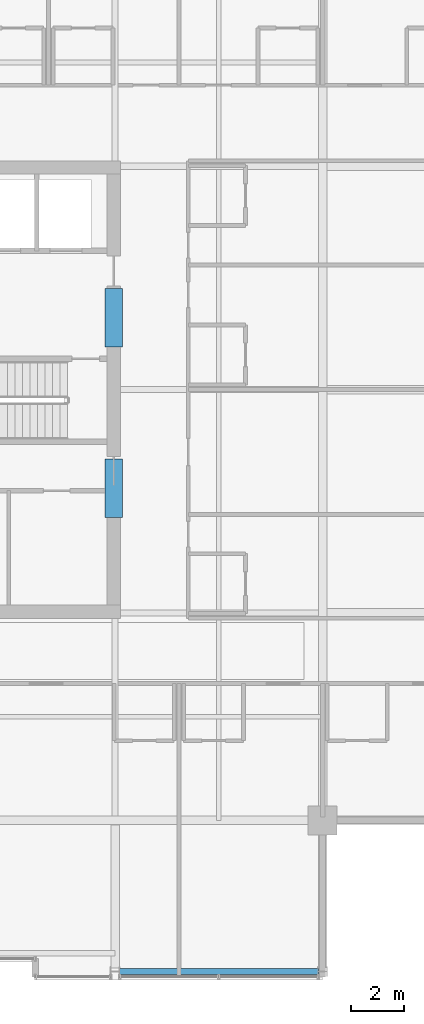
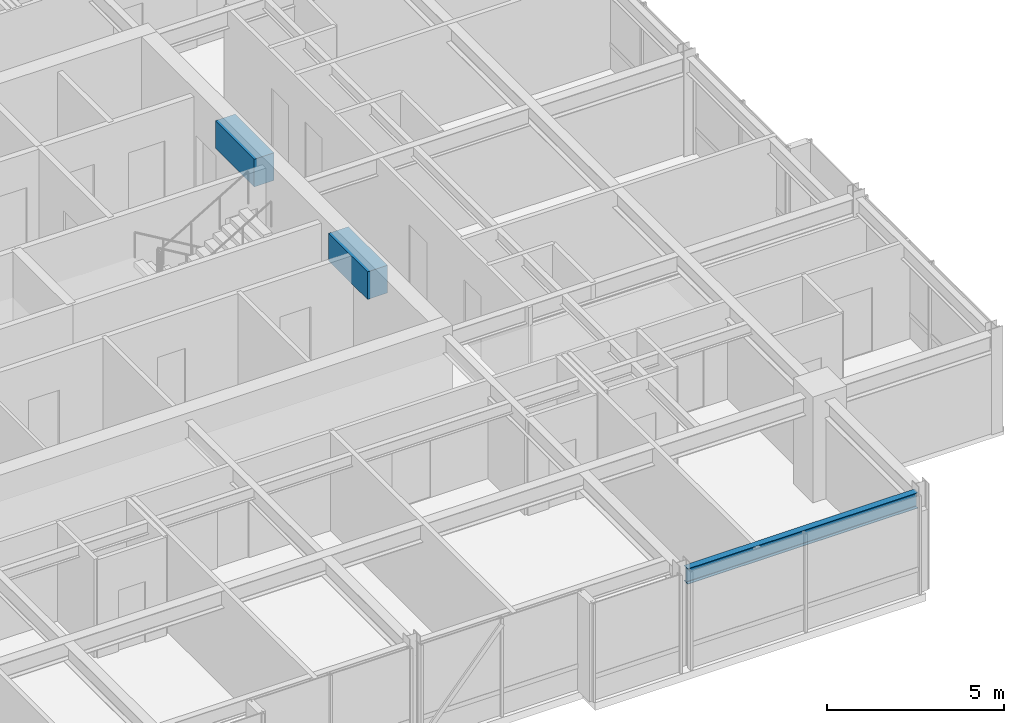
# One storey, part 15 of 34: 3 beams.
"""IFC4 building model written with IfcOpenShell, lengths in metres."""

import ifcopenshell
import ifcopenshell.guid

model = None  # the IFC model being written
_history = None  # IfcOwnerHistory: only IFC2X3 demands one
_inside = {}  # id of a spatial element -> (the spatial element, [elements in it])
_under = {}  # id of a project, library or spatial element -> (it, [spatial elements below it])
_declared = {}  # id of a project -> (the project, [libraries it declares])
_typed = {}  # id of a type object -> (the type object, [elements of that type])
_made_of = {}  # id of a material, layer set ... -> (it, [elements and type objects made of it])


def new_model(schema):
    """Start an empty IFC model of exactly this schema.

    Asked for "IFC4X3", IfcOpenShell would pick the latest addendum, in which some entities
    have other attributes; the version numbers below select the first issue.
    IFC2X3 requires an IfcOwnerHistory on every rooted entity: one is made here for all.
    """
    global model, _history
    if schema == "IFC4X3":
        model = ifcopenshell.file(schema_version=(4, 3, 0, 0))
    else:
        model = ifcopenshell.file(schema=schema)
    _inside.clear()
    _under.clear()
    _declared.clear()
    _typed.clear()
    _made_of.clear()
    _history = None
    if model.schema == "IFC2X3":
        org = make("IfcOrganization", Name="unknown")
        user = make(
            "IfcPersonAndOrganization",
            ThePerson=make("IfcPerson", FamilyName="unknown"),
            TheOrganization=org,
        )
        app = make(
            "IfcApplication",
            ApplicationDeveloper=org,
            Version="unknown",
            ApplicationFullName="unknown",
            ApplicationIdentifier="unknown",
        )
        _history = make(
            "IfcOwnerHistory",
            OwningUser=user,
            OwningApplication=app,
            ChangeAction="ADDED",
            CreationDate=0,
        )
    return model


def make(cls, **values):
    """One entity of the class cls with the attributes given. An attribute that is None is left unset."""
    return model.create_entity(
        cls, **{name: value for name, value in values.items() if value is not None}
    )


def rooted(cls, **values):
    """An entity with a GlobalId (a new one), such as an element, a storey or a relation."""
    return make(cls, GlobalId=ifcopenshell.guid.new(), OwnerHistory=_history, **values)


def si_unit(unit_type, name, prefix=None):
    """IfcSIUnit, for example si_unit("LENGTHUNIT", "METRE", prefix="MILLI")."""
    return make("IfcSIUnit", UnitType=unit_type, Prefix=prefix, Name=name)


def assignment(units):
    """IfcUnitAssignment: the units of a project."""
    return None if units is None else make("IfcUnitAssignment", Units=units)


def point(xyz):
    """IfcCartesianPoint."""
    return None if xyz is None else make("IfcCartesianPoint", Coordinates=xyz)


def direction(xyz):
    """IfcDirection."""
    return None if xyz is None else make("IfcDirection", DirectionRatios=xyz)


def frame(location, z_axis=None, x_axis=None):
    """IfcAxis2Placement3D, a coordinate frame: its origin and axes. An axis left out is left unset."""
    return make(
        "IfcAxis2Placement3D",
        Location=point(location),
        Axis=direction(z_axis),
        RefDirection=direction(x_axis),
    )


def frame_2d(location, x_axis=None):
    """IfcAxis2Placement2D, a coordinate frame in the plane: its origin and x axis."""
    return make(
        "IfcAxis2Placement2D", Location=point(location), RefDirection=direction(x_axis)
    )


def origin():
    """The frame at (0, 0, 0) with its axes left unset."""
    return frame((0.0, 0.0, 0.0))


def origin_2d():
    """The frame at (0, 0) in the plane with its x axis left unset."""
    return frame_2d((0.0, 0.0))


def place(relative_to, where):
    """IfcLocalPlacement: puts the frame where relative to a parent placement (None: the world)."""
    return make(
        "IfcLocalPlacement", PlacementRelTo=relative_to, RelativePlacement=where
    )


def context(
    kind, dimensions, precision=None, world=None, true_north=None, identifier=None
):
    """IfcGeometricRepresentationContext, for example the 3D "Model" context."""
    return make(
        "IfcGeometricRepresentationContext",
        ContextIdentifier=identifier,
        ContextType=kind,
        CoordinateSpaceDimension=dimensions,
        Precision=precision,
        WorldCoordinateSystem=world,
        TrueNorth=true_north,
    )


def subcontext(parent, identifier, kind, view, scale=None):
    """IfcGeometricRepresentationSubContext, for example "Body" below "Model"."""
    return make(
        "IfcGeometricRepresentationSubContext",
        ContextIdentifier=identifier,
        ContextType=kind,
        ParentContext=parent,
        TargetScale=scale,
        TargetView=view,
    )


def project(units=None, contexts=None):
    """IfcProject with its units and contexts."""
    return rooted(
        "IfcProject",
        Name="project",
        RepresentationContexts=contexts,
        UnitsInContext=assignment(units),
    )


def spatial(cls, under=None, at=None, **own):
    """A site, building, storey or space (cls), placed at a placement, below another one or the project."""
    s = rooted(cls, ObjectPlacement=at, **own)
    if under is not None:
        _under.setdefault(under.id(), (under, []))[1].append(s)
    return s


def profile(cls, at=None, kind="AREA", **sizes):
    """A parametric profile (cls). Its sizes go by their IFC names, for example OverallWidth=200.0."""
    return make(cls, ProfileType=kind, Position=at, **sizes)


def rectangle(**sizes):
    """IfcRectangleProfileDef."""
    return profile("IfcRectangleProfileDef", **sizes)


def i_section(**sizes):
    """IfcIShapeProfileDef."""
    return profile("IfcIShapeProfileDef", **sizes)


def extrude(swept, where, along, depth):
    """IfcExtrudedAreaSolid: the profile swept, set in the frame where, extruded along a direction by depth."""
    return make(
        "IfcExtrudedAreaSolid",
        SweptArea=swept,
        Position=where,
        ExtrudedDirection=direction(along),
        Depth=depth,
    )


def shape(context_of_items, identifier, shape_type, items):
    """IfcShapeRepresentation: the items that make up one representation, for example the "Body"."""
    return make(
        "IfcShapeRepresentation",
        ContextOfItems=context_of_items,
        RepresentationIdentifier=identifier,
        RepresentationType=shape_type,
        Items=items,
    )


def material(Name=None, Category=None):
    """IfcMaterial."""
    return make("IfcMaterial", Name=Name, Category=Category)


def material_profile(
    of_material, cross_section, Name=None, Category=None, Priority=None
):
    """IfcMaterialProfile: a cross section and its material."""
    return make(
        "IfcMaterialProfile",
        Name=Name,
        Material=of_material,
        Profile=cross_section,
        Priority=Priority,
        Category=Category,
    )


def profile_set(profiles, Name=None, composite=None):
    """IfcMaterialProfileSet."""
    return make(
        "IfcMaterialProfileSet",
        Name=Name,
        MaterialProfiles=profiles,
        CompositeProfile=composite,
    )


def made_of(thing, what):
    """Note that an element or type object is made of a material, layer set ...; save() writes the relation."""
    if what is not None:
        _made_of.setdefault(what.id(), (what, []))[1].append(thing)
    return thing


def type_object(cls, material=None, **own):
    """A type object (cls), such as IfcWallType, which elements share."""
    return made_of(rooted(cls, **own), material)


def element(
    cls,
    number,
    at=None,
    inside=None,
    cuts=None,
    type_object=None,
    material=None,
    context=None,
    identifier="Body",
    shape_type=None,
    held_by="IfcProductDefinitionShape",
    body=None,
    shapes=None,
    **own,
):
    """One element of the class cls, such as IfcWall. Its Tag is "e" and its number.

    at: its placement. inside: the storey or other place that contains it. cuts: it is an
    opening in that element (IfcRelVoidsElement). A single representation is given by context,
    identifier, shape_type and body (its items); several are given by shapes. held_by: the class
    of the entity that holds the representations. save() writes the other relations.
    """
    e = rooted(cls, Tag="e%d" % number, ObjectPlacement=at, **own)
    if body is not None:
        shapes = [shape(context, identifier, shape_type, body)]
    if shapes is not None:
        e.Representation = make(held_by, Representations=shapes)
    if inside is not None:
        _inside.setdefault(inside.id(), (inside, []))[1].append(e)
    if cuts is not None:
        rooted(
            "IfcRelVoidsElement", RelatingBuildingElement=cuts, RelatedOpeningElement=e
        )
    if type_object is not None:
        _typed.setdefault(type_object.id(), (type_object, []))[1].append(e)
    return made_of(e, material)


def aggregate(whole, parts):
    """IfcRelAggregates: a whole, such as a stair, and the parts it consists of."""
    return rooted("IfcRelAggregates", RelatingObject=whole, RelatedObjects=parts)


def save(model, path):
    """Write the relations noted so far, then the file.

    IfcRelAggregates (storeys below a building ...), IfcRelContainedInSpatialStructure (elements
    in a storey), IfcRelDefinesByType, IfcRelAssociatesMaterial and IfcRelDeclares: one each for
    every whole, place, type object, material and project.
    """
    for whole, parts in _under.values():
        aggregate(whole, parts)
    for where, things in _inside.values():
        rooted(
            "IfcRelContainedInSpatialStructure",
            RelatedElements=things,
            RelatingStructure=where,
        )
    for kind, things in _typed.values():
        rooted("IfcRelDefinesByType", RelatedObjects=things, RelatingType=kind)
    for what, things in _made_of.values():
        rooted("IfcRelAssociatesMaterial", RelatedObjects=things, RelatingMaterial=what)
    for by, libraries in _declared.values():
        rooted("IfcRelDeclares", RelatingContext=by, RelatedDefinitions=libraries)
    model.write(path)


model = new_model("IFC4")

# Units and contexts
model_context = context("Model", 3, precision=1e-05, world=origin(), true_north=direction((0.0, 1.0)))
body_context = subcontext(model_context, "Body", "Model", "MODEL_VIEW")
ifc_project = project(units=[si_unit("LENGTHUNIT", "METRE"), si_unit("AREAUNIT", "SQUARE_METRE"), si_unit("VOLUMEUNIT", "CUBIC_METRE"), si_unit("PLANEANGLEUNIT", "RADIAN"), si_unit("MASSUNIT", "GRAM", prefix="KILO")], contexts=[model_context])

# Site, building, storey
site_placement = place(None, origin())
site = spatial("IfcSite", under=ifc_project, at=site_placement, CompositionType="ELEMENT")
building_placement = place(site_placement, origin())
building = spatial("IfcBuilding", under=site, at=building_placement, Name="Drelvath Grand Hotel", CompositionType="ELEMENT")
storey_placement = place(building_placement, frame((0.0, 0.0, 272.300048828125)))
storey = spatial("IfcBuildingStorey", under=building, at=storey_placement, Name="L71", CompositionType="ELEMENT", Elevation=272.300048828125)

# Beams
ifc_material_1 = material(Name="Concrete f'c 55 MPa", Category="concrete")
ifc_material_profile_1 = material_profile(ifc_material_1, rectangle(XDim=0.64990234375, YDim=0.949951171875, at=origin_2d()), Name="CB650X950")
ifc_profile_set_1 = profile_set([ifc_material_profile_1], Name="Concrete f'c 55 MPa")
beam_type_1 = type_object("IfcBeamType", Name="Core Coupling Lintel CB650X950", PredefinedType="LINTEL", material=ifc_profile_set_1)
for number, where, z_axis, x_axis, name in (
    (1, (8.35009765625, 22.199951171875, 2.9150390625), (0.0, 1.0, 0.0), (-1.0, 0.0, 0.0), "L71 Core Coupling Lintel ES"),
    (2, (8.35009765625, 28.60009765625, 2.9150390625), (0.0, 1.0, 0.0), (-1.0, 0.0, 0.0), "L71 Core Coupling Lintel EN"),
):
    element("IfcBeam", number, at=place(storey_placement, frame(where, z_axis=z_axis, x_axis=x_axis)), inside=storey, type_object=beam_type_1, Name=name, PredefinedType="LINTEL", context=body_context, shape_type="SweptSolid", body=[
        extrude(rectangle(XDim=0.64990234375, YDim=0.949951171875, at=origin_2d()), origin(), (0.0, 0.0, 1.0), 2.199951171875),
    ])
ifc_material_2 = material(Name="Steel ASTM A992 Gr 50", Category="steel")
ifc_material_profile_2 = material_profile(ifc_material_2, i_section(OverallWidth=0.210205078125, OverallDepth=0.53662109375, WebThickness=0.010986328125, FlangeThickness=0.017333984375, FilletRadius=0.01806640625, at=origin_2d()), Name="W21X68")
ifc_profile_set_2 = profile_set([ifc_material_profile_2], Name="Steel ASTM A992 Gr 50")
beam_type_2 = type_object("IfcBeamType", Name="Perimeter Spandrel Beam W21X68", PredefinedType="SPANDREL", material=ifc_profile_set_2)
beam_placement = place(storey_placement, frame((8.5400390625, 5.1201171875, 3.12158203125), z_axis=(1.0, 0.0, 0.0), x_axis=(0.0, 1.0, 0.0)))
element("IfcBeam", 3, at=beam_placement, inside=storey, type_object=beam_type_2, Name="L71 Spandrel South E", PredefinedType="SPANDREL", context=body_context, shape_type="SweptSolid", body=[
    extrude(i_section(OverallWidth=0.210205078125, OverallDepth=0.53662109375, WebThickness=0.010986328125, FlangeThickness=0.017333984375, FilletRadius=0.01806640625, at=origin_2d()), origin(), (0.0, 0.0, 1.0), 7.52001953125),
])

save(model, "model.ifc")
